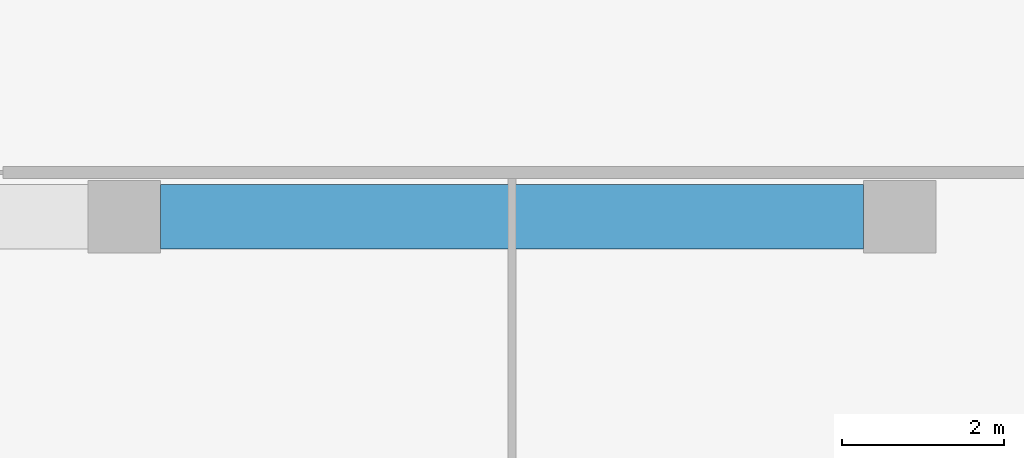
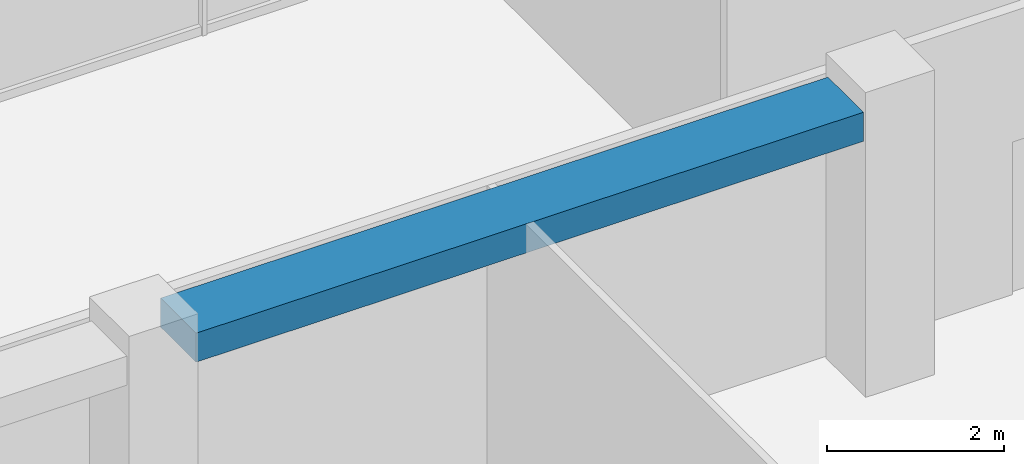
# One storey, part 14 of 38: 1 beam.
"""IFC4 building model written with IfcOpenShell, lengths in metres."""

from ifc_helpers import new_model, si_unit, direction, frame, origin, origin_2d, place, context, subcontext, project, spatial, rectangle, extrude, material, material_profile, profile_set, type_object, element, save


model = new_model("IFC4")

# Units and contexts
model_context = context("Model", 3, precision=1e-05, world=origin(), true_north=direction((0.0, 1.0)))
body_context = subcontext(model_context, "Body", "Model", "MODEL_VIEW")
ifc_project = project(units=[si_unit("LENGTHUNIT", "METRE"), si_unit("AREAUNIT", "SQUARE_METRE"), si_unit("VOLUMEUNIT", "CUBIC_METRE"), si_unit("PLANEANGLEUNIT", "RADIAN"), si_unit("MASSUNIT", "GRAM", prefix="KILO")], contexts=[model_context])

# Site, building, storey
site_placement = place(None, origin())
site = spatial("IfcSite", under=ifc_project, at=site_placement, CompositionType="ELEMENT")
building_placement = place(site_placement, origin())
building = spatial("IfcBuilding", under=site, at=building_placement, Name="Nzadi Deep Aquarium and Research Tower", CompositionType="ELEMENT")
storey_placement = place(building_placement, frame((0.0, 0.0, 65.5)))
storey = spatial("IfcBuildingStorey", under=building, at=storey_placement, Name="L13", CompositionType="ELEMENT", Elevation=65.5)

# Beam
ifc_material = material(Name="Concrete C35/45", Category="concrete")
ifc_material_profile = material_profile(ifc_material, rectangle(XDim=0.800048828125, YDim=0.39990234375, at=origin_2d()))
ifc_profile_set = profile_set([ifc_material_profile], Name="Concrete C35/45")
beam_type = type_object("IfcBeamType", Name="RC 800x400", PredefinedType="BEAM", material=ifc_profile_set)
beam_placement = place(storey_placement, frame((29.25, 9.199951171875, 3.699951171875), z_axis=(1.0, 0.0, 0.0), x_axis=(0.0, 1.0, 0.0)))
element("IfcBeam", 1, at=beam_placement, inside=storey, type_object=beam_type, Name="B-Z1-L13-L2-4", PredefinedType="BEAM", context=body_context, shape_type="SweptSolid", body=[
    extrude(rectangle(XDim=0.800048828125, YDim=0.39990234375, at=origin_2d()), origin(), (0.0, 0.0, 1.0), 8.699951171875),
])

save(model, "model.ifc")
